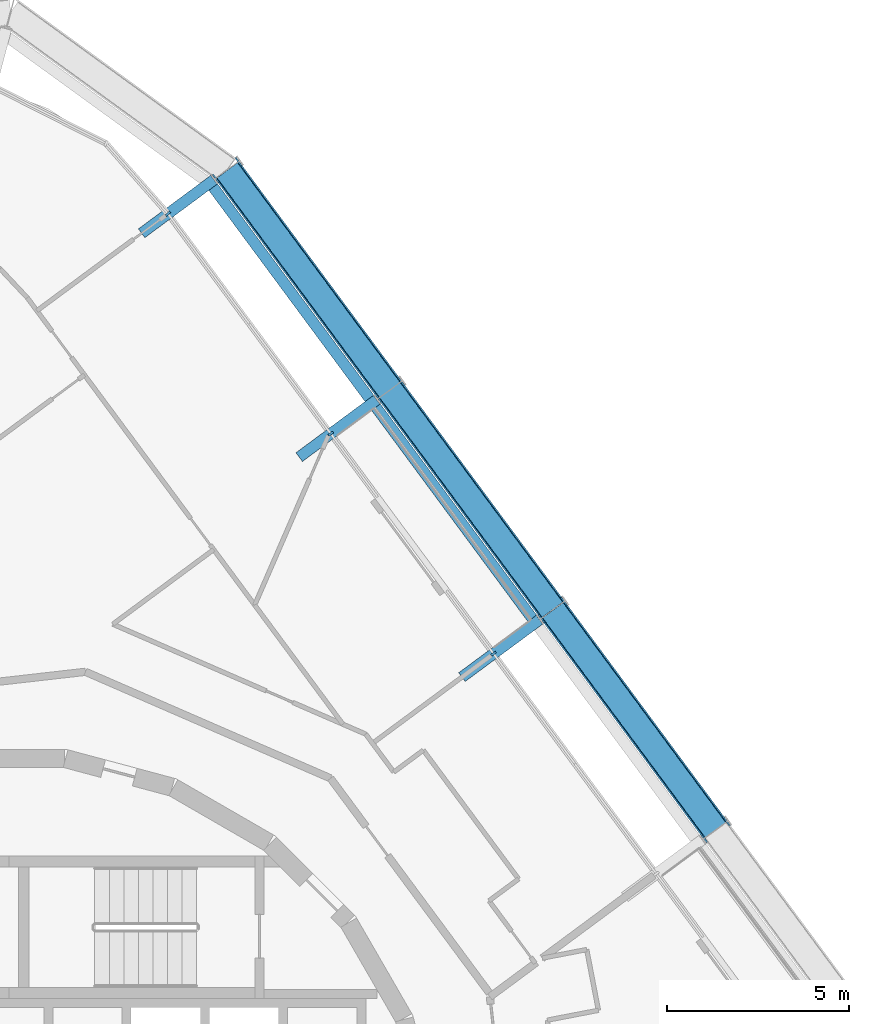
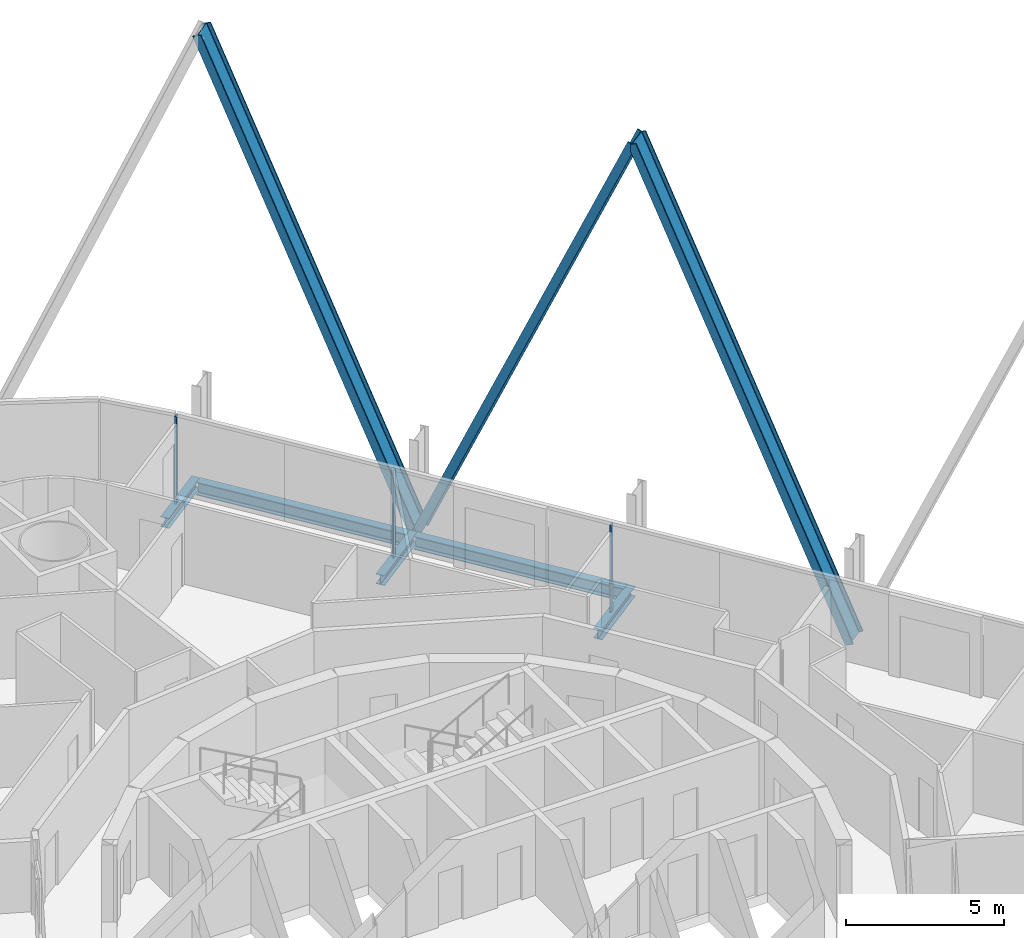
# One storey, part 11 of 23: 6 members, 5 beams, 2 elements without a shape of their own.
"""IFC4 building model written with IfcOpenShell, lengths in metres."""

import ifcopenshell
import ifcopenshell.guid

model = None  # the IFC model being written
_history = None  # IfcOwnerHistory: only IFC2X3 demands one
_inside = {}  # id of a spatial element -> (the spatial element, [elements in it])
_under = {}  # id of a project, library or spatial element -> (it, [spatial elements below it])
_declared = {}  # id of a project -> (the project, [libraries it declares])
_typed = {}  # id of a type object -> (the type object, [elements of that type])
_made_of = {}  # id of a material, layer set ... -> (it, [elements and type objects made of it])


def new_model(schema):
    """Start an empty IFC model of exactly this schema.

    Asked for "IFC4X3", IfcOpenShell would pick the latest addendum, in which some entities
    have other attributes; the version numbers below select the first issue.
    IFC2X3 requires an IfcOwnerHistory on every rooted entity: one is made here for all.
    """
    global model, _history
    if schema == "IFC4X3":
        model = ifcopenshell.file(schema_version=(4, 3, 0, 0))
    else:
        model = ifcopenshell.file(schema=schema)
    _inside.clear()
    _under.clear()
    _declared.clear()
    _typed.clear()
    _made_of.clear()
    _history = None
    if model.schema == "IFC2X3":
        org = make("IfcOrganization", Name="unknown")
        user = make(
            "IfcPersonAndOrganization",
            ThePerson=make("IfcPerson", FamilyName="unknown"),
            TheOrganization=org,
        )
        app = make(
            "IfcApplication",
            ApplicationDeveloper=org,
            Version="unknown",
            ApplicationFullName="unknown",
            ApplicationIdentifier="unknown",
        )
        _history = make(
            "IfcOwnerHistory",
            OwningUser=user,
            OwningApplication=app,
            ChangeAction="ADDED",
            CreationDate=0,
        )
    return model


def make(cls, **values):
    """One entity of the class cls with the attributes given. An attribute that is None is left unset."""
    return model.create_entity(
        cls, **{name: value for name, value in values.items() if value is not None}
    )


def rooted(cls, **values):
    """An entity with a GlobalId (a new one), such as an element, a storey or a relation."""
    return make(cls, GlobalId=ifcopenshell.guid.new(), OwnerHistory=_history, **values)


def si_unit(unit_type, name, prefix=None):
    """IfcSIUnit, for example si_unit("LENGTHUNIT", "METRE", prefix="MILLI")."""
    return make("IfcSIUnit", UnitType=unit_type, Prefix=prefix, Name=name)


def assignment(units):
    """IfcUnitAssignment: the units of a project."""
    return None if units is None else make("IfcUnitAssignment", Units=units)


def point(xyz):
    """IfcCartesianPoint."""
    return None if xyz is None else make("IfcCartesianPoint", Coordinates=xyz)


def direction(xyz):
    """IfcDirection."""
    return None if xyz is None else make("IfcDirection", DirectionRatios=xyz)


def frame(location, z_axis=None, x_axis=None):
    """IfcAxis2Placement3D, a coordinate frame: its origin and axes. An axis left out is left unset."""
    return make(
        "IfcAxis2Placement3D",
        Location=point(location),
        Axis=direction(z_axis),
        RefDirection=direction(x_axis),
    )


def frame_2d(location, x_axis=None):
    """IfcAxis2Placement2D, a coordinate frame in the plane: its origin and x axis."""
    return make(
        "IfcAxis2Placement2D", Location=point(location), RefDirection=direction(x_axis)
    )


def origin():
    """The frame at (0, 0, 0) with its axes left unset."""
    return frame((0.0, 0.0, 0.0))


def origin_2d():
    """The frame at (0, 0) in the plane with its x axis left unset."""
    return frame_2d((0.0, 0.0))


def place(relative_to, where):
    """IfcLocalPlacement: puts the frame where relative to a parent placement (None: the world)."""
    return make(
        "IfcLocalPlacement", PlacementRelTo=relative_to, RelativePlacement=where
    )


def context(
    kind, dimensions, precision=None, world=None, true_north=None, identifier=None
):
    """IfcGeometricRepresentationContext, for example the 3D "Model" context."""
    return make(
        "IfcGeometricRepresentationContext",
        ContextIdentifier=identifier,
        ContextType=kind,
        CoordinateSpaceDimension=dimensions,
        Precision=precision,
        WorldCoordinateSystem=world,
        TrueNorth=true_north,
    )


def subcontext(parent, identifier, kind, view, scale=None):
    """IfcGeometricRepresentationSubContext, for example "Body" below "Model"."""
    return make(
        "IfcGeometricRepresentationSubContext",
        ContextIdentifier=identifier,
        ContextType=kind,
        ParentContext=parent,
        TargetScale=scale,
        TargetView=view,
    )


def project(units=None, contexts=None):
    """IfcProject with its units and contexts."""
    return rooted(
        "IfcProject",
        Name="project",
        RepresentationContexts=contexts,
        UnitsInContext=assignment(units),
    )


def spatial(cls, under=None, at=None, **own):
    """A site, building, storey or space (cls), placed at a placement, below another one or the project."""
    s = rooted(cls, ObjectPlacement=at, **own)
    if under is not None:
        _under.setdefault(under.id(), (under, []))[1].append(s)
    return s


def profile(cls, at=None, kind="AREA", **sizes):
    """A parametric profile (cls). Its sizes go by their IFC names, for example OverallWidth=200.0."""
    return make(cls, ProfileType=kind, Position=at, **sizes)


def rectangle(**sizes):
    """IfcRectangleProfileDef."""
    return profile("IfcRectangleProfileDef", **sizes)


def i_section(**sizes):
    """IfcIShapeProfileDef."""
    return profile("IfcIShapeProfileDef", **sizes)


def extrude(swept, where, along, depth):
    """IfcExtrudedAreaSolid: the profile swept, set in the frame where, extruded along a direction by depth."""
    return make(
        "IfcExtrudedAreaSolid",
        SweptArea=swept,
        Position=where,
        ExtrudedDirection=direction(along),
        Depth=depth,
    )


def shape(context_of_items, identifier, shape_type, items):
    """IfcShapeRepresentation: the items that make up one representation, for example the "Body"."""
    return make(
        "IfcShapeRepresentation",
        ContextOfItems=context_of_items,
        RepresentationIdentifier=identifier,
        RepresentationType=shape_type,
        Items=items,
    )


def material(Name=None, Category=None):
    """IfcMaterial."""
    return make("IfcMaterial", Name=Name, Category=Category)


def layer(
    of_material, thickness, ventilated=None, Name=None, Category=None, Priority=None
):
    """IfcMaterialLayer: one layer of a wall or slab, of a material (None: an air gap)."""
    return make(
        "IfcMaterialLayer",
        Material=of_material,
        LayerThickness=thickness,
        IsVentilated=ventilated,
        Name=Name,
        Category=Category,
        Priority=Priority,
    )


def layer_set(layers, Name=None):
    """IfcMaterialLayerSet."""
    return make("IfcMaterialLayerSet", MaterialLayers=layers, LayerSetName=Name)


def material_profile(
    of_material, cross_section, Name=None, Category=None, Priority=None
):
    """IfcMaterialProfile: a cross section and its material."""
    return make(
        "IfcMaterialProfile",
        Name=Name,
        Material=of_material,
        Profile=cross_section,
        Priority=Priority,
        Category=Category,
    )


def profile_set(profiles, Name=None, composite=None):
    """IfcMaterialProfileSet."""
    return make(
        "IfcMaterialProfileSet",
        Name=Name,
        MaterialProfiles=profiles,
        CompositeProfile=composite,
    )


def made_of(thing, what):
    """Note that an element or type object is made of a material, layer set ...; save() writes the relation."""
    if what is not None:
        _made_of.setdefault(what.id(), (what, []))[1].append(thing)
    return thing


def type_object(cls, material=None, **own):
    """A type object (cls), such as IfcWallType, which elements share."""
    return made_of(rooted(cls, **own), material)


def element(
    cls,
    number,
    at=None,
    inside=None,
    cuts=None,
    type_object=None,
    material=None,
    context=None,
    identifier="Body",
    shape_type=None,
    held_by="IfcProductDefinitionShape",
    body=None,
    shapes=None,
    **own,
):
    """One element of the class cls, such as IfcWall. Its Tag is "e" and its number.

    at: its placement. inside: the storey or other place that contains it. cuts: it is an
    opening in that element (IfcRelVoidsElement). A single representation is given by context,
    identifier, shape_type and body (its items); several are given by shapes. held_by: the class
    of the entity that holds the representations. save() writes the other relations.
    """
    e = rooted(cls, Tag="e%d" % number, ObjectPlacement=at, **own)
    if body is not None:
        shapes = [shape(context, identifier, shape_type, body)]
    if shapes is not None:
        e.Representation = make(held_by, Representations=shapes)
    if inside is not None:
        _inside.setdefault(inside.id(), (inside, []))[1].append(e)
    if cuts is not None:
        rooted(
            "IfcRelVoidsElement", RelatingBuildingElement=cuts, RelatedOpeningElement=e
        )
    if type_object is not None:
        _typed.setdefault(type_object.id(), (type_object, []))[1].append(e)
    return made_of(e, material)


def aggregate(whole, parts):
    """IfcRelAggregates: a whole, such as a stair, and the parts it consists of."""
    return rooted("IfcRelAggregates", RelatingObject=whole, RelatedObjects=parts)


def save(model, path):
    """Write the relations noted so far, then the file.

    IfcRelAggregates (storeys below a building ...), IfcRelContainedInSpatialStructure (elements
    in a storey), IfcRelDefinesByType, IfcRelAssociatesMaterial and IfcRelDeclares: one each for
    every whole, place, type object, material and project.
    """
    for whole, parts in _under.values():
        aggregate(whole, parts)
    for where, things in _inside.values():
        rooted(
            "IfcRelContainedInSpatialStructure",
            RelatedElements=things,
            RelatingStructure=where,
        )
    for kind, things in _typed.values():
        rooted("IfcRelDefinesByType", RelatedObjects=things, RelatingType=kind)
    for what, things in _made_of.values():
        rooted("IfcRelAssociatesMaterial", RelatedObjects=things, RelatingMaterial=what)
    for by, libraries in _declared.values():
        rooted("IfcRelDeclares", RelatingContext=by, RelatedDefinitions=libraries)
    model.write(path)


model = new_model("IFC4")

# Units and contexts
model_context = context("Model", 3, precision=1e-05, world=origin(), true_north=direction((0.0, 1.0)))
body_context = subcontext(model_context, "Body", "Model", "MODEL_VIEW")
ifc_project = project(units=[si_unit("LENGTHUNIT", "METRE"), si_unit("AREAUNIT", "SQUARE_METRE"), si_unit("VOLUMEUNIT", "CUBIC_METRE"), si_unit("PLANEANGLEUNIT", "RADIAN"), si_unit("MASSUNIT", "GRAM", prefix="KILO")], contexts=[model_context])

# Site, building, storey
site_placement = place(None, origin())
site = spatial("IfcSite", under=ifc_project, at=site_placement, CompositionType="ELEMENT")
building_placement = place(site_placement, origin())
building = spatial("IfcBuilding", under=site, at=building_placement, Name="Spindle Arch Residences", CompositionType="ELEMENT")
storey_placement = place(building_placement, frame((0.0, 0.0, 90.699951171875)))
storey = spatial("IfcBuildingStorey", under=building, at=storey_placement, Name="L21", CompositionType="ELEMENT", Elevation=90.699951171875)

# Curtain wall, members
ifc_material_1 = material(Name="Aluminium bronze unitised frame with tinted glass", Category="aluminium")
ifc_layer_1 = layer(ifc_material_1, 0.159912109375)
ifc_layer_set_1 = layer_set([ifc_layer_1], Name="CW-C typical residential unitised wall")
curtain_wall_type_1 = type_object("IfcCurtainWallType", Name="CW-C typical residential unitised wall", PredefinedType="NOTDEFINED", material=ifc_layer_set_1)
curtain_wall_1_placement = place(storey_placement, origin())
curtain_wall_1 = element("IfcCurtainWall", 1, at=curtain_wall_1_placement, inside=storey, type_object=curtain_wall_type_1, Name="CW-C L21 run 2", PredefinedType="NOTDEFINED")
ifc_material_2 = material(Name="Aluminium bronze anodised mullion", Category="aluminium")
ifc_material_profile_1 = material_profile(ifc_material_2, rectangle(XDim=0.159912109375, YDim=0.06005859375, at=origin_2d()), Name="MU 60x160")
ifc_profile_set_1 = profile_set([ifc_material_profile_1], Name="Aluminium bronze anodised mullion")
member_type_1 = type_object("IfcMemberType", Name="Bronze mullion 60x160", PredefinedType="MULLION", material=ifc_profile_set_1)
member_1_placement = place(storey_placement, frame((13.308349609375, 14.5244140625, -0.3798828125), z_axis=(0.0, 0.0, 1.0), x_axis=(-0.803856860617, -0.594822786751, 0.0)))
member_1 = element("IfcMember", 2, at=member_1_placement, type_object=member_type_1, Name="CW-C mullion 08", PredefinedType="MULLION", context=body_context, shape_type="SweptSolid", body=[
    extrude(rectangle(XDim=0.159912109375, YDim=0.06005859375, at=origin_2d()), origin(), (0.0, 0.0, 1.0), 3.3798828125),
])
member_2_placement = place(storey_placement, frame((8.8359375, 20.568603515625, -0.3798828125), z_axis=(0.0, 0.0, 1.0), x_axis=(-0.803856860617, -0.594822786751, 0.0)))
member_2 = element("IfcMember", 3, at=member_2_placement, type_object=member_type_1, Name="CW-C mullion 09", PredefinedType="MULLION", context=body_context, shape_type="SweptSolid", body=[
    extrude(rectangle(XDim=0.159912109375, YDim=0.06005859375, at=origin_2d()), origin(), (0.0, 0.0, 1.0), 3.3798828125),
])
aggregate(curtain_wall_1, [member_1, member_2])

# Curtain wall, member
ifc_material_3 = material(Name="Aluminium bronze unitised frame with tinted glass", Category="aluminium")
ifc_layer_2 = layer(ifc_material_3, 0.159912109375)
ifc_layer_set_2 = layer_set([ifc_layer_2], Name="CW-D corner wall on the fillet arcs")
curtain_wall_type_2 = type_object("IfcCurtainWallType", Name="CW-D corner wall on the fillet arcs", PredefinedType="NOTDEFINED", material=ifc_layer_set_2)
curtain_wall_2_placement = place(storey_placement, origin())
curtain_wall_2 = element("IfcCurtainWall", 4, at=curtain_wall_2_placement, inside=storey, type_object=curtain_wall_type_2, Name="CW-D L21 run 3", PredefinedType="NOTDEFINED")
member_3_placement = place(storey_placement, frame((4.36376953125, 26.612548828125, -0.3798828125), z_axis=(0.0, 0.0, 1.0), x_axis=(-0.750646632877, -0.660703891733, 0.0)))
member_3 = element("IfcMember", 5, at=member_3_placement, type_object=member_type_1, Name="CW-D mullion 00", PredefinedType="MULLION", context=body_context, shape_type="SweptSolid", body=[
    extrude(rectangle(XDim=0.159912109375, YDim=0.06005859375, at=origin_2d()), origin(), (0.0, 0.0, 1.0), 3.3798828125),
])
aggregate(curtain_wall_2, [member_3])

# Members
ifc_material_4 = material(Name="Steel S460ML, intumescent coating R 240", Category="steel")
ifc_material_profile_2 = material_profile(ifc_material_4, i_section(OverallWidth=0.302978515625, OverallDepth=0.81396484375, WebThickness=0.02099609375, FlangeThickness=0.0400390625, FilletRadius=0.030029296875, at=origin_2d()), Name="HEM 800")
ifc_profile_set_2 = profile_set([ifc_material_profile_2], Name="Steel S460ML, intumescent coating R 240")
member_type_2 = type_object("IfcMemberType", Name="Diagrid diagonal HEM 800", PredefinedType="BRACE", material=ifc_profile_set_2)
member_4_placement = place(storey_placement, frame((19.404541015625, 9.681884765625, -0.6298828125), z_axis=(-0.237407949689, 0.320842219032, 0.916895706125), x_axis=(0.545386297226, -0.737055983429, 0.399126877182)))
element("IfcMember", 6, at=member_4_placement, inside=storey, type_object=member_type_2, Name="Diagrid diagonal 2.2.8", PredefinedType="BRACE", context=body_context, shape_type="SweptSolid", body=[
    extrude(i_section(OverallWidth=0.302978515625, OverallDepth=0.81396484375, WebThickness=0.02099609375, FlangeThickness=0.0400390625, FilletRadius=0.030029296875, at=origin_2d()), origin(), (0.0, 0.0, 1.0), 18.838623046875),
])
for number, where, z_axis, x_axis, name in (
    (7, (10.459716796875, 21.77001953125, -0.6298828125), (0.237408936819, -0.320830593367, 0.916899518529), (-0.545402800564, 0.737048514153, 0.399118119009), "Diagrid diagonal 2.2.9"),
    (8, (10.459716796875, 21.77001953125, -0.6298828125), (-0.237395720415, 0.320843206153, 0.916898527098), (0.545368736416, -0.737072486486, 0.39912039663), "Diagrid diagonal 2.2.10"),
):
    element("IfcMember", number, at=place(storey_placement, frame(where, z_axis=z_axis, x_axis=x_axis)), inside=storey, type_object=member_type_2, Name=name, PredefinedType="BRACE", context=body_context, shape_type="SweptSolid", body=[
        extrude(i_section(OverallWidth=0.302978515625, OverallDepth=0.81396484375, WebThickness=0.02099609375, FlangeThickness=0.0400390625, FilletRadius=0.030029296875, at=origin_2d()), origin(), (0.0, 0.0, 1.0), 18.83837890625),
    ])

# Beams
ifc_material_5 = material(Name="Steel S460ML, intumescent coating R 120", Category="steel")
ifc_material_profile_3 = material_profile(ifc_material_5, i_section(OverallWidth=0.300048828125, OverallDepth=0.5, WebThickness=0.014404296875, FlangeThickness=0.028076171875, FilletRadius=0.027099609375, at=origin_2d()), Name="HEB 500")
ifc_profile_set_3 = profile_set([ifc_material_profile_3], Name="Steel S460ML, intumescent coating R 120")
beam_type_1 = type_object("IfcBeamType", Name="Exoskeleton edge beam HEB 500", PredefinedType="BEAM", material=ifc_profile_set_3)
beam_1_placement = place(storey_placement, frame((14.383056640625, 15.481201171875, -0.6298828125), z_axis=(-0.594826923516, 0.803853799556, 0.0), x_axis=(-0.803853799556, -0.594826923516, 0.0)))
element("IfcBeam", 9, at=beam_1_placement, inside=storey, type_object=beam_type_1, Name="Exoskeleton edge beam 9", PredefinedType="BEAM", context=body_context, shape_type="SweptSolid", body=[
    extrude(i_section(OverallWidth=0.300048828125, OverallDepth=0.5, WebThickness=0.014404296875, FlangeThickness=0.028076171875, FilletRadius=0.027099609375, at=origin_2d()), origin(), (0.0, 0.0, 1.0), 7.259033203125),
])
beam_2_placement = place(storey_placement, frame((9.91064453125, 21.525390625, -0.6298828125), z_axis=(-0.594821272041, 0.803857981441, 0.0), x_axis=(-0.803857981441, -0.594821272041, 0.0)))
element("IfcBeam", 10, at=beam_2_placement, inside=storey, type_object=beam_type_1, Name="Exoskeleton edge beam 10", PredefinedType="BEAM", context=body_context, shape_type="SweptSolid", body=[
    extrude(i_section(OverallWidth=0.300048828125, OverallDepth=0.5, WebThickness=0.014404296875, FlangeThickness=0.028076171875, FilletRadius=0.027099609375, at=origin_2d()), origin(), (0.0, 0.0, 1.0), 7.2587890625),
])
ifc_material_6 = material(Name="Steel S460ML, intumescent coating R 120", Category="steel")
ifc_material_profile_4 = material_profile(ifc_material_6, i_section(OverallWidth=0.300048828125, OverallDepth=0.389892578125, WebThickness=0.010986328125, FlangeThickness=0.01904296875, FilletRadius=0.027099609375, at=origin_2d()), Name="HEA 400")
ifc_profile_set_4 = profile_set([ifc_material_profile_4], Name="Steel S460ML, intumescent coating R 120")
beam_type_2 = type_object("IfcBeamType", Name="Floor outrigger HEA 400", PredefinedType="BEAM", material=ifc_profile_set_4)
for number, where, z_axis, x_axis, name in (
    (11, (14.570556640625, 15.458251953125, -0.574951171875), (-0.803896519326, -0.594769187345, 0.0), (0.594769187345, -0.803896519326, 0.0), "Floor outrigger 9"),
    (12, (10.09814453125, 21.502197265625, -0.574951171875), (-0.803896519326, -0.594769187345, 0.0), (0.594769187345, -0.803896519326, 0.0), "Floor outrigger 10"),
):
    element("IfcBeam", number, at=place(storey_placement, frame(where, z_axis=z_axis, x_axis=x_axis)), inside=storey, type_object=beam_type_2, Name=name, PredefinedType="BEAM", context=body_context, shape_type="SweptSolid", body=[
        extrude(i_section(OverallWidth=0.300048828125, OverallDepth=0.389892578125, WebThickness=0.010986328125, FlangeThickness=0.01904296875, FilletRadius=0.027099609375, at=origin_2d()), origin(), (0.0, 0.0, 1.0), 2.650146484375),
    ])
beam_3_placement = place(storey_placement, frame((5.625732421875, 27.54638671875, -0.574951171875), z_axis=(-0.80387213449, -0.594802144743, 0.0), x_axis=(0.594802144743, -0.80387213449, 0.0)))
element("IfcBeam", 13, at=beam_3_placement, inside=storey, type_object=beam_type_2, Name="Floor outrigger 11", PredefinedType="BEAM", context=body_context, shape_type="SweptSolid", body=[
    extrude(i_section(OverallWidth=0.300048828125, OverallDepth=0.389892578125, WebThickness=0.010986328125, FlangeThickness=0.01904296875, FilletRadius=0.027099609375, at=origin_2d()), origin(), (0.0, 0.0, 1.0), 2.470947265625),
])

save(model, "model.ifc")
